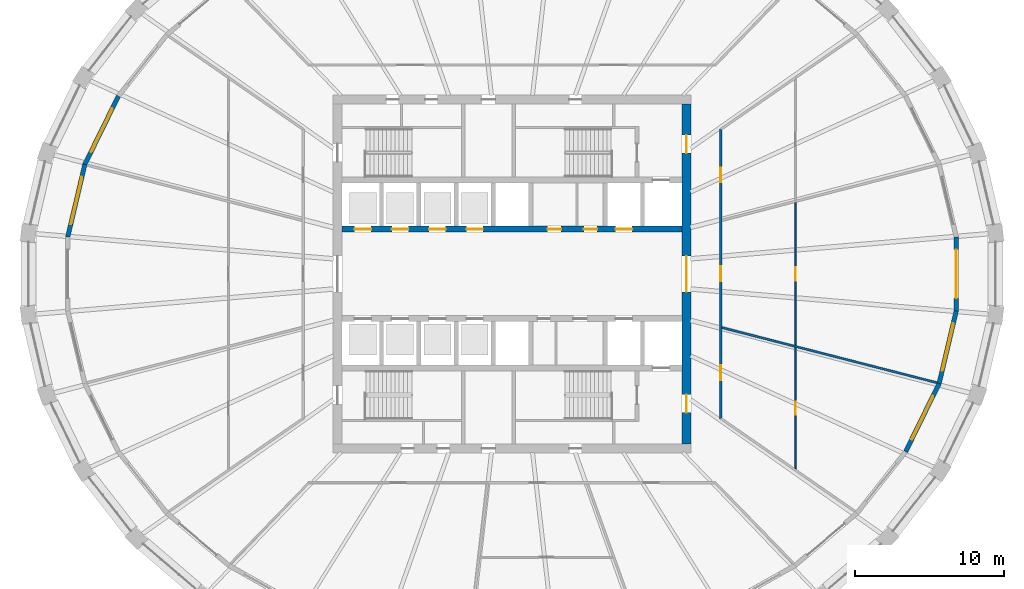
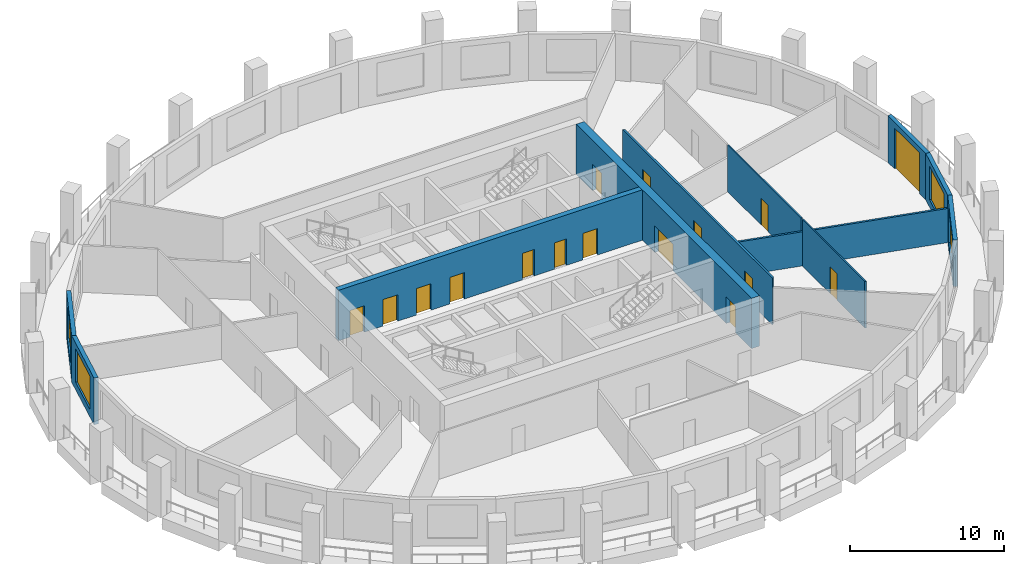
# One storey, part 5 of 10: 16 doors, 11 walls, 4 windows, 20 openings.
"""IFC4 building model written with IfcOpenShell, lengths in metres."""

from ifc_helpers import new_model, si_unit, direction, frame, frame_2d, origin, place, context, subcontext, project, spatial, polyline, rectangle, outline, extrude, material, layer, layer_set, type_object, element, fill, save


model = new_model("IFC4")

# Units and contexts
model_context = context("Model", 3, precision=1e-05, world=origin(), true_north=direction((0.0, 1.0)))
body_context = subcontext(model_context, "Body", "Model", "MODEL_VIEW")
ifc_project = project(units=[si_unit("LENGTHUNIT", "METRE"), si_unit("AREAUNIT", "SQUARE_METRE"), si_unit("VOLUMEUNIT", "CUBIC_METRE"), si_unit("PLANEANGLEUNIT", "RADIAN"), si_unit("MASSUNIT", "GRAM", prefix="KILO")], contexts=[model_context])

# Site, building, storey
site_placement = place(None, origin())
site = spatial("IfcSite", under=ifc_project, at=site_placement, CompositionType="ELEMENT")
building_placement = place(site_placement, origin())
building = spatial("IfcBuilding", under=site, at=building_placement, Name="Halqa Exchange Tower", CompositionType="ELEMENT")
storey_placement = place(building_placement, frame((0.0, 0.0, 190.89990234375)))
storey = spatial("IfcBuildingStorey", under=building, at=storey_placement, Name="L43", CompositionType="ELEMENT", Elevation=190.89990234375)

# Wall, openings, doors
ifc_material_1 = material(Name="Fire-rated gypsum board")
ifc_layer_1 = layer(ifc_material_1, 0.14990234375)
ifc_layer_set_1 = layer_set([ifc_layer_1], Name="Fire-rated gypsum board")
wall_type_1 = type_object("IfcWallType", Name="Fire partition EI 60 150", PredefinedType="PARTITIONING", material=ifc_layer_set_1)
wall_1_placement = place(storey_placement, frame((14.0, -9.729248046875, 0.0), z_axis=(0.0, 0.0, 1.0), x_axis=(0.0, 1.0, 0.0)))
wall_1 = element("IfcWall", 1, at=wall_1_placement, inside=storey, type_object=wall_type_1, Name="L43-PWL-020", PredefinedType="PARTITIONING", context=body_context, shape_type="SweptSolid", body=[
    extrude(outline(polyline([(0.07861328125, -0.074951171875), (2.008544921875, -0.074951171875), (3.938720703125, -0.074951171875), (5.868896484375, -0.074951171875), (7.799072265625, -0.074951171875), (9.729248046875, -0.074951171875), (11.659423828125, -0.074951171875), (13.589599609375, -0.074951171875), (15.519775390625, -0.074951171875), (17.44970703125, -0.074951171875), (19.3798828125, -0.074951171875), (19.45849609375, 0.074951171875), (19.45849609375, 0.074951171875), (17.5126953125, 0.074951171875), (15.56689453125, 0.074951171875), (13.620849609375, 0.074951171875), (11.675048828125, 0.074951171875), (9.729248046875, 0.074951171875), (7.783447265625, 0.074951171875), (5.837646484375, 0.074951171875), (3.8916015625, 0.074951171875), (1.94580078125, 0.074951171875), (0.0, 0.074951171875), (0.0, 0.074951171875), (0.07861328125, -0.074951171875)])), origin(), (0.0, 0.0, 1.0), 3.7001953125),
])
opening_1_placement = place(wall_1_placement, frame((2.59423828125, 0.0, 0.0)))
opening_1 = element("IfcOpeningElement", 2, at=opening_1_placement, cuts=wall_1, Name="Opening 13-09", PredefinedType="OPENING", context=body_context, shape_type="SweptSolid", body=[
    extrude(rectangle(XDim=1.0, YDim=2.10009765625, at=frame_2d((0.5, 1.050048828125))), frame((0.0, 0.0869140625, 0.0), z_axis=(0.0, -1.0, 0.0), x_axis=(1.0, 0.0, 0.0)), (0.0, 0.0, 1.0), 0.173828125),
])
opening_2_placement = place(wall_1_placement, frame((9.229248046875, 0.0, 0.0)))
opening_2 = element("IfcOpeningElement", 3, at=opening_2_placement, cuts=wall_1, Name="Opening 13-10", PredefinedType="OPENING", context=body_context, shape_type="SweptSolid", body=[
    extrude(rectangle(XDim=1.0, YDim=2.10009765625, at=frame_2d((0.5, 1.050048828125))), frame((0.0, 0.0869140625, 0.0), z_axis=(0.0, -1.0, 0.0), x_axis=(1.0, 0.0, 0.0)), (0.0, 0.0, 1.0), 0.173828125),
])
opening_3_placement = place(wall_1_placement, frame((15.8642578125, 0.0, 0.0)))
opening_3 = element("IfcOpeningElement", 4, at=opening_3_placement, cuts=wall_1, Name="Opening 13-11", PredefinedType="OPENING", context=body_context, shape_type="SweptSolid", body=[
    extrude(rectangle(XDim=1.0, YDim=2.10009765625, at=frame_2d((0.5, 1.050048828125))), frame((0.0, 0.0869140625, 0.0), z_axis=(0.0, -1.0, 0.0), x_axis=(1.0, 0.0, 0.0)), (0.0, 0.0, 1.0), 0.173828125),
])
ifc_material_2 = material(Name="Steel fire door leaf", Category="steel")
door_type_1 = type_object("IfcDoorType", Name="Fire door FD30S 1000 x 2100", OperationType="SINGLE_SWING_LEFT", PredefinedType="DOOR", material=ifc_material_2)
door_1_placement = place(opening_1_placement, frame((1.0, 0.0, 0.0), z_axis=(0.0, 0.0, 1.0), x_axis=(-1.0, 0.0, 0.0)))
door_1 = element("IfcDoor", 5, at=door_1_placement, inside=storey, type_object=door_type_1, Name="L43-IDR-009", OperationType="SINGLE_SWING_LEFT", OverallHeight=2.10009765625, OverallWidth=1.0, PredefinedType="DOOR", context=body_context, shape_type="SweptSolid", body=[
    extrude(rectangle(XDim=1.0, YDim=2.10009765625, at=frame_2d((0.5, 1.050048828125))), frame((0.0, 0.02490234375, 0.0), z_axis=(0.0, -1.0, 0.0), x_axis=(1.0, 0.0, 0.0)), (0.0, 0.0, 1.0), 0.050048828125),
])
fill(opening_1, door_1)
door_2_placement = place(opening_2_placement, frame((1.0, 0.0, 0.0), z_axis=(0.0, 0.0, 1.0), x_axis=(-1.0, 0.0, 0.0)))
door_2 = element("IfcDoor", 6, at=door_2_placement, inside=storey, type_object=door_type_1, Name="L43-IDR-010", OperationType="SINGLE_SWING_RIGHT", OverallHeight=2.10009765625, OverallWidth=1.0, PredefinedType="DOOR", context=body_context, shape_type="SweptSolid", body=[
    extrude(rectangle(XDim=1.0, YDim=2.10009765625, at=frame_2d((0.5, 1.050048828125))), frame((0.0, 0.02490234375, 0.0), z_axis=(0.0, -1.0, 0.0), x_axis=(1.0, 0.0, 0.0)), (0.0, 0.0, 1.0), 0.050048828125),
])
fill(opening_2, door_2)
door_3_placement = place(opening_3_placement, frame((1.0, 0.0, 0.0), z_axis=(0.0, 0.0, 1.0), x_axis=(-1.0, 0.0, 0.0)))
door_3 = element("IfcDoor", 7, at=door_3_placement, inside=storey, type_object=door_type_1, Name="L43-IDR-011", OperationType="SINGLE_SWING_RIGHT", OverallHeight=2.10009765625, OverallWidth=1.0, PredefinedType="DOOR", context=body_context, shape_type="SweptSolid", body=[
    extrude(rectangle(XDim=1.0, YDim=2.10009765625, at=frame_2d((0.5, 1.050048828125))), frame((0.0, 0.02490234375, 0.0), z_axis=(0.0, -1.0, 0.0), x_axis=(1.0, 0.0, 0.0)), (0.0, 0.0, 1.0), 0.050048828125),
])
fill(opening_3, door_3)

# Wall
wall_2_placement = place(storey_placement, frame((14.056640625, -3.594482421875, 0.0), z_axis=(0.0, 0.0, 1.0), x_axis=(0.96870063855, -0.248231893342, 0.0)))
element("IfcWall", 8, at=wall_2_placement, inside=storey, type_object=wall_type_1, Name="L43-PWL-022", PredefinedType="PARTITIONING", context=body_context, shape_type="SweptSolid", body=[
    extrude(outline(polyline([(0.0380859375, -0.074951171875), (1.748291015625, -0.074951171875), (3.458251953125, -0.074951171875), (5.168212890625, -0.074951171875), (5.173583984375, -0.073486328125), (5.173828125, -0.074951171875), (7.1171875, -0.074951171875), (9.060546875, -0.074951171875), (11.003662109375, -0.074951171875), (12.947021484375, -0.074951171875), (14.89013671875, -0.074951171875), (14.904296875, -0.007568359375), (14.904296875, 0.074951171875), (12.93115234375, 0.074951171875), (10.957763671875, 0.074951171875), (8.984619140625, 0.074951171875), (7.011474609375, 0.074951171875), (5.0380859375, 0.074951171875), (5.03271484375, 0.073486328125), (5.0322265625, 0.074951171875), (3.354736328125, 0.074951171875), (1.677490234375, 0.074951171875), (0.0, 0.074951171875), (0.0, 0.073974609375), (0.0380859375, -0.074951171875)])), origin(), (0.0, 0.0, 1.0), 2.710205078125),
])

# Wall, opening, door
ifc_material_3 = material(Name="Gypsum board")
ifc_layer_2 = layer(ifc_material_3, 0.10009765625)
ifc_layer_set_2 = layer_set([ifc_layer_2], Name="Gypsum board")
wall_type_2 = type_object("IfcWallType", Name="Partition 100 gypsum", PredefinedType="PARTITIONING", material=ifc_layer_set_2)
wall_3_placement = place(storey_placement, frame((19.0, -4.926025390625, 0.0), z_axis=(0.0, 0.0, 1.0), x_axis=(0.0, -1.0, 0.0)))
wall_3 = element("IfcWall", 9, at=wall_3_placement, inside=storey, type_object=wall_type_2, Name="L43-PWL-027", PredefinedType="PARTITIONING", context=body_context, shape_type="SweptSolid", body=[
    extrude(outline(polyline([(0.0, -0.050048828125), (1.6201171875, -0.050048828125), (3.240234375, -0.050048828125), (4.8603515625, -0.050048828125), (6.480712890625, -0.050048828125), (8.100830078125, -0.050048828125), (8.16943359375, 0.049072265625), (8.16943359375, 0.050048828125), (6.54052734375, 0.050048828125), (4.911865234375, 0.050048828125), (3.282958984375, 0.050048828125), (1.654296875, 0.050048828125), (0.025390625, 0.050048828125), (0.0, -0.04931640625), (0.0, -0.050048828125)])), origin(), (0.0, 0.0, 1.0), 3.7001953125),
])
opening_4_placement = place(wall_3_placement, frame((3.62890625, 0.0, 0.0)))
opening_4 = element("IfcOpeningElement", 10, at=opening_4_placement, cuts=wall_3, Name="Opening 13-16", PredefinedType="OPENING", context=body_context, shape_type="SweptSolid", body=[
    extrude(rectangle(XDim=0.89990234375, YDim=2.10009765625, at=frame_2d((0.449951171875, 1.050048828125))), frame((0.0, 0.06201171875, 0.0), z_axis=(0.0, -1.0, 0.0), x_axis=(1.0, 0.0, 0.0)), (0.0, 0.0, 1.0), 0.1240234375),
])
ifc_material_4 = material(Name="Timber door leaf", Category="wood")
door_type_2 = type_object("IfcDoorType", Name="Door 900 x 2100", OperationType="SINGLE_SWING_LEFT", PredefinedType="DOOR", material=ifc_material_4)
door_4_placement = place(opening_4_placement, frame((0.89990234375, 0.0, 0.0), z_axis=(0.0, 0.0, 1.0), x_axis=(-1.0, 0.0, 0.0)))
door_4 = element("IfcDoor", 11, at=door_4_placement, inside=storey, type_object=door_type_2, Name="L43-IDR-016", OperationType="SINGLE_SWING_LEFT", OverallHeight=2.10009765625, OverallWidth=0.89990234375, PredefinedType="DOOR", context=body_context, shape_type="SweptSolid", body=[
    extrude(rectangle(XDim=0.89990234375, YDim=2.10009765625, at=frame_2d((0.449951171875, 1.050048828125))), frame((0.0, 0.02490234375, 0.0), z_axis=(0.0, -1.0, 0.0), x_axis=(1.0, 0.0, 0.0)), (0.0, 0.0, 1.0), 0.050048828125),
])
fill(opening_4, door_4)

wall_4_placement = place(storey_placement, frame((19.0, 4.79638671875, 0.0), z_axis=(0.0, 0.0, 1.0), x_axis=(0.0, -1.0, 0.0)))
wall_4 = element("IfcWall", 12, at=wall_4_placement, inside=storey, type_object=wall_type_2, Name="L43-PWL-028", PredefinedType="PARTITIONING", context=body_context, shape_type="SweptSolid", body=[
    extrude(outline(polyline([(0.025390625, -0.050048828125), (1.933837890625, -0.050048828125), (3.84228515625, -0.050048828125), (5.75048828125, -0.050048828125), (7.658935546875, -0.050048828125), (9.5673828125, -0.050048828125), (9.5927734375, 0.049072265625), (9.5927734375, 0.050048828125), (7.67431640625, 0.050048828125), (5.755615234375, 0.050048828125), (3.837158203125, 0.050048828125), (1.91845703125, 0.050048828125), (0.0, 0.050048828125), (0.0, 0.049072265625), (0.025390625, -0.050048828125)])), origin(), (0.0, 0.0, 1.0), 3.7001953125),
])
opening_5_placement = place(wall_4_placement, frame((4.346435546875, 0.0, 0.0)))
opening_5 = element("IfcOpeningElement", 13, at=opening_5_placement, cuts=wall_4, Name="Opening 13-17", PredefinedType="OPENING", context=body_context, shape_type="SweptSolid", body=[
    extrude(rectangle(XDim=0.89990234375, YDim=2.10009765625, at=frame_2d((0.449951171875, 1.050048828125))), frame((0.0, 0.06201171875, 0.0), z_axis=(0.0, -1.0, 0.0), x_axis=(1.0, 0.0, 0.0)), (0.0, 0.0, 1.0), 0.1240234375),
])
door_5_placement = place(opening_5_placement, frame((0.89990234375, 0.0, 0.0), z_axis=(0.0, 0.0, 1.0), x_axis=(-1.0, 0.0, 0.0)))
door_5 = element("IfcDoor", 14, at=door_5_placement, inside=storey, type_object=door_type_2, Name="L43-IDR-017", OperationType="SINGLE_SWING_LEFT", OverallHeight=2.10009765625, OverallWidth=0.89990234375, PredefinedType="DOOR", context=body_context, shape_type="SweptSolid", body=[
    extrude(rectangle(XDim=0.89990234375, YDim=2.10009765625, at=frame_2d((0.449951171875, 1.050048828125))), frame((0.0, 0.02490234375, 0.0), z_axis=(0.0, -1.0, 0.0), x_axis=(1.0, 0.0, 0.0)), (0.0, 0.0, 1.0), 0.050048828125),
])
fill(opening_5, door_5)

# Wall, openings, doors
ifc_material_5 = material(Name="Concrete C70/85", Category="concrete")
ifc_layer_3 = layer(ifc_material_5, 0.39990234375)
ifc_layer_set_3 = layer_set([ifc_layer_3], Name="Concrete C70/85")
wall_type_3 = type_object("IfcWallType", Name="RC core wall 400 C70/85", PredefinedType="SHEAR", material=ifc_layer_set_3)
wall_5_placement = place(storey_placement, frame((-11.39990234375, 3.0, 0.0), z_axis=(0.0, 0.0, 1.0), x_axis=(1.0, 0.0, 0.0)))
wall_5 = element("IfcWall", 15, at=wall_5_placement, inside=storey, type_object=wall_type_3, Name="Lift row front wall N", PredefinedType="SHEAR", context=body_context, shape_type="SweptSolid", body=[
    extrude(rectangle(XDim=22.7998046875, YDim=0.39990234375, at=frame_2d((11.39990234375, 0.0))), origin(), (0.0, 0.0, 1.0), 4.0),
])
opening_6_placement = place(wall_5_placement, frame((0.85009765625, 0.0, 0.0)))
opening_6 = element("IfcOpeningElement", 16, at=opening_6_placement, cuts=wall_5, Name="Opening LD-HR1-T13", PredefinedType="OPENING", context=body_context, shape_type="SweptSolid", body=[
    extrude(rectangle(XDim=1.10009765625, YDim=2.10009765625, at=frame_2d((0.550048828125, 1.050048828125))), frame((0.0, 0.2119140625, 0.0), z_axis=(0.0, -1.0, 0.0), x_axis=(1.0, 0.0, 0.0)), (0.0, 0.0, 1.0), 0.423828125),
])
opening_7_placement = place(wall_5_placement, frame((3.35009765625, 0.0, 0.0)))
opening_7 = element("IfcOpeningElement", 17, at=opening_7_placement, cuts=wall_5, Name="Opening LD-HR2-T13", PredefinedType="OPENING", context=body_context, shape_type="SweptSolid", body=[
    extrude(rectangle(XDim=1.10009765625, YDim=2.10009765625, at=frame_2d((0.550048828125, 1.050048828125))), frame((0.0, 0.2119140625, 0.0), z_axis=(0.0, -1.0, 0.0), x_axis=(1.0, 0.0, 0.0)), (0.0, 0.0, 1.0), 0.423828125),
])
opening_8_placement = place(wall_5_placement, frame((5.85009765625, 0.0, 0.0)))
opening_8 = element("IfcOpeningElement", 18, at=opening_8_placement, cuts=wall_5, Name="Opening LD-MR1-T13", PredefinedType="OPENING", context=body_context, shape_type="SweptSolid", body=[
    extrude(rectangle(XDim=1.10009765625, YDim=2.10009765625, at=frame_2d((0.550048828125, 1.050048828125))), frame((0.0, 0.2119140625, 0.0), z_axis=(0.0, -1.0, 0.0), x_axis=(1.0, 0.0, 0.0)), (0.0, 0.0, 1.0), 0.423828125),
])
opening_9_placement = place(wall_5_placement, frame((8.35009765625, 0.0, 0.0)))
opening_9 = element("IfcOpeningElement", 19, at=opening_9_placement, cuts=wall_5, Name="Opening LD-MR2-T13", PredefinedType="OPENING", context=body_context, shape_type="SweptSolid", body=[
    extrude(rectangle(XDim=1.10009765625, YDim=2.10009765625, at=frame_2d((0.550048828125, 1.050048828125))), frame((0.0, 0.2119140625, 0.0), z_axis=(0.0, -1.0, 0.0), x_axis=(1.0, 0.0, 0.0)), (0.0, 0.0, 1.0), 0.423828125),
])
opening_10_placement = place(wall_5_placement, frame((18.35009765625, 0.0, 0.0)))
opening_10 = element("IfcOpeningElement", 20, at=opening_10_placement, cuts=wall_5, Name="Opening LD-SV1-T13", PredefinedType="OPENING", context=body_context, shape_type="SweptSolid", body=[
    extrude(rectangle(XDim=1.10009765625, YDim=2.10009765625, at=frame_2d((0.550048828125, 1.050048828125))), frame((0.0, 0.2119140625, 0.0), z_axis=(0.0, -1.0, 0.0), x_axis=(1.0, 0.0, 0.0)), (0.0, 0.0, 1.0), 0.423828125),
])
opening_11_placement = place(wall_5_placement, frame((13.78759765625, 0.0, 0.0)))
opening_11 = element("IfcOpeningElement", 21, at=opening_11_placement, cuts=wall_5, Name="Opening T13-C29", PredefinedType="OPENING", context=body_context, shape_type="SweptSolid", body=[
    extrude(rectangle(XDim=0.89990234375, YDim=2.10009765625, at=frame_2d((0.449951171875, 1.050048828125))), frame((0.0, 0.2119140625, 0.0), z_axis=(0.0, -1.0, 0.0), x_axis=(1.0, 0.0, 0.0)), (0.0, 0.0, 1.0), 0.423828125),
])
opening_12_placement = place(wall_5_placement, frame((16.21240234375, 0.0, 0.0)))
opening_12 = element("IfcOpeningElement", 22, at=opening_12_placement, cuts=wall_5, Name="Opening T13-C30", PredefinedType="OPENING", context=body_context, shape_type="SweptSolid", body=[
    extrude(rectangle(XDim=0.89990234375, YDim=2.10009765625, at=frame_2d((0.449951171875, 1.050048828125))), frame((0.0, 0.2119140625, 0.0), z_axis=(0.0, -1.0, 0.0), x_axis=(1.0, 0.0, 0.0)), (0.0, 0.0, 1.0), 0.423828125),
])
ifc_material_6 = material(Name="Timber fire door leaf", Category="wood")
door_type_3 = type_object("IfcDoorType", Name="Core room door FD30 900 x 2100", OperationType="SINGLE_SWING_LEFT", PredefinedType="DOOR", material=ifc_material_6)
door_6_placement = place(opening_11_placement, origin())
door_6 = element("IfcDoor", 23, at=door_6_placement, inside=storey, type_object=door_type_3, Name="Core room door", OperationType="SINGLE_SWING_LEFT", OverallHeight=2.10009765625, OverallWidth=0.89990234375, PredefinedType="DOOR", context=body_context, shape_type="SweptSolid", body=[
    extrude(rectangle(XDim=0.89990234375, YDim=2.10009765625, at=frame_2d((0.449951171875, 1.050048828125))), frame((0.0, 0.02490234375, 0.0), z_axis=(0.0, -1.0, 0.0), x_axis=(1.0, 0.0, 0.0)), (0.0, 0.0, 1.0), 0.050048828125),
])
fill(opening_11, door_6)
door_7_placement = place(opening_12_placement, origin())
door_7 = element("IfcDoor", 24, at=door_7_placement, inside=storey, type_object=door_type_3, Name="Core room door", OperationType="SINGLE_SWING_RIGHT", OverallHeight=2.10009765625, OverallWidth=0.89990234375, PredefinedType="DOOR", context=body_context, shape_type="SweptSolid", body=[
    extrude(rectangle(XDim=0.89990234375, YDim=2.10009765625, at=frame_2d((0.449951171875, 1.050048828125))), frame((0.0, 0.02490234375, 0.0), z_axis=(0.0, -1.0, 0.0), x_axis=(1.0, 0.0, 0.0)), (0.0, 0.0, 1.0), 0.050048828125),
])
fill(opening_12, door_7)
ifc_material_7 = material(Name="Stainless steel", Category="steel")
door_type_4 = type_object("IfcDoorType", Name="Lift landing door 1100 x 2100", OperationType="SLIDING_TO_LEFT", PredefinedType="DOOR", material=ifc_material_7)
door_8_placement = place(opening_6_placement, origin())
door_8 = element("IfcDoor", 25, at=door_8_placement, inside=storey, type_object=door_type_4, Name="Lift landing door HR1", OperationType="SLIDING_TO_LEFT", OverallHeight=2.10009765625, OverallWidth=1.10009765625, PredefinedType="DOOR", context=body_context, shape_type="SweptSolid", body=[
    extrude(rectangle(XDim=1.10009765625, YDim=2.10009765625, at=frame_2d((0.550048828125, 1.050048828125))), frame((0.0, 0.02490234375, 0.0), z_axis=(0.0, -1.0, 0.0), x_axis=(1.0, 0.0, 0.0)), (0.0, 0.0, 1.0), 0.050048828125),
])
fill(opening_6, door_8)
door_9_placement = place(opening_7_placement, origin())
door_9 = element("IfcDoor", 26, at=door_9_placement, inside=storey, type_object=door_type_4, Name="Lift landing door HR2", OperationType="SLIDING_TO_LEFT", OverallHeight=2.10009765625, OverallWidth=1.10009765625, PredefinedType="DOOR", context=body_context, shape_type="SweptSolid", body=[
    extrude(rectangle(XDim=1.10009765625, YDim=2.10009765625, at=frame_2d((0.550048828125, 1.050048828125))), frame((0.0, 0.02490234375, 0.0), z_axis=(0.0, -1.0, 0.0), x_axis=(1.0, 0.0, 0.0)), (0.0, 0.0, 1.0), 0.050048828125),
])
fill(opening_7, door_9)
door_10_placement = place(opening_8_placement, origin())
door_10 = element("IfcDoor", 27, at=door_10_placement, inside=storey, type_object=door_type_4, Name="Lift landing door MR1", OperationType="SLIDING_TO_LEFT", OverallHeight=2.10009765625, OverallWidth=1.10009765625, PredefinedType="DOOR", context=body_context, shape_type="SweptSolid", body=[
    extrude(rectangle(XDim=1.10009765625, YDim=2.10009765625, at=frame_2d((0.550048828125, 1.050048828125))), frame((0.0, 0.02490234375, 0.0), z_axis=(0.0, -1.0, 0.0), x_axis=(1.0, 0.0, 0.0)), (0.0, 0.0, 1.0), 0.050048828125),
])
fill(opening_8, door_10)
door_11_placement = place(opening_9_placement, origin())
door_11 = element("IfcDoor", 28, at=door_11_placement, inside=storey, type_object=door_type_4, Name="Lift landing door MR2", OperationType="SLIDING_TO_LEFT", OverallHeight=2.10009765625, OverallWidth=1.10009765625, PredefinedType="DOOR", context=body_context, shape_type="SweptSolid", body=[
    extrude(rectangle(XDim=1.10009765625, YDim=2.10009765625, at=frame_2d((0.550048828125, 1.050048828125))), frame((0.0, 0.02490234375, 0.0), z_axis=(0.0, -1.0, 0.0), x_axis=(1.0, 0.0, 0.0)), (0.0, 0.0, 1.0), 0.050048828125),
])
fill(opening_9, door_11)
door_12_placement = place(opening_10_placement, origin())
door_12 = element("IfcDoor", 29, at=door_12_placement, inside=storey, type_object=door_type_4, Name="Lift landing door SV1", OperationType="SLIDING_TO_LEFT", OverallHeight=2.10009765625, OverallWidth=1.10009765625, PredefinedType="DOOR", context=body_context, shape_type="SweptSolid", body=[
    extrude(rectangle(XDim=1.10009765625, YDim=2.10009765625, at=frame_2d((0.550048828125, 1.050048828125))), frame((0.0, 0.02490234375, 0.0), z_axis=(0.0, -1.0, 0.0), x_axis=(1.0, 0.0, 0.0)), (0.0, 0.0, 1.0), 0.050048828125),
])
fill(opening_10, door_12)

ifc_layer_4 = layer(ifc_material_5, 0.60009765625)
ifc_layer_set_4 = layer_set([ifc_layer_4], Name="Concrete C70/85")
wall_type_4 = type_object("IfcWallType", Name="RC core wall 600 C70/85", PredefinedType="SHEAR", material=ifc_layer_set_4)
wall_6_placement = place(storey_placement, frame((11.699951171875, -11.39990234375, 0.0), z_axis=(0.0, 0.0, 1.0), x_axis=(0.0, 1.0, 0.0)))
wall_6 = element("IfcWall", 30, at=wall_6_placement, inside=storey, type_object=wall_type_4, Name="Core wall east", PredefinedType="SHEAR", context=body_context, shape_type="SweptSolid", body=[
    extrude(rectangle(XDim=22.7998046875, YDim=0.60009765625, at=frame_2d((11.39990234375, 0.0))), origin(), (0.0, 0.0, 1.0), 4.0),
])
opening_13_placement = place(wall_6_placement, frame((10.199951171875, 0.0, 0.0)))
opening_13 = element("IfcOpeningElement", 31, at=opening_13_placement, cuts=wall_6, Name="Opening T13-C14", PredefinedType="OPENING", context=body_context, shape_type="SweptSolid", body=[
    extrude(rectangle(XDim=2.39990234375, YDim=2.10009765625, at=frame_2d((1.199951171875, 1.050048828125))), frame((0.0, 0.31201171875, 0.0), z_axis=(0.0, -1.0, 0.0), x_axis=(1.0, 0.0, 0.0)), (0.0, 0.0, 1.0), 0.6240234375),
])
opening_14_placement = place(wall_6_placement, frame((19.5, 0.0, 0.0)))
opening_14 = element("IfcOpeningElement", 32, at=opening_14_placement, cuts=wall_6, Name="Opening T13-C19", PredefinedType="OPENING", context=body_context, shape_type="SweptSolid", body=[
    extrude(rectangle(XDim=1.199951171875, YDim=2.10009765625, at=frame_2d((0.60009765625, 1.050048828125))), frame((0.0, 0.31201171875, 0.0), z_axis=(0.0, -1.0, 0.0), x_axis=(1.0, 0.0, 0.0)), (0.0, 0.0, 1.0), 0.6240234375),
])
opening_15_placement = place(wall_6_placement, frame((2.10009765625, 0.0, 0.0)))
opening_15 = element("IfcOpeningElement", 33, at=opening_15_placement, cuts=wall_6, Name="Opening T13-C20", PredefinedType="OPENING", context=body_context, shape_type="SweptSolid", body=[
    extrude(rectangle(XDim=1.199951171875, YDim=2.10009765625, at=frame_2d((0.60009765625, 1.050048828125))), frame((0.0, 0.31201171875, 0.0), z_axis=(0.0, -1.0, 0.0), x_axis=(1.0, 0.0, 0.0)), (0.0, 0.0, 1.0), 0.6240234375),
])
door_type_5 = type_object("IfcDoorType", Name="Firefighting lobby door FD90 1200 x 2100", OperationType="SINGLE_SWING_RIGHT", PredefinedType="DOOR", material=ifc_material_2)
door_13_placement = place(opening_14_placement, origin())
door_13 = element("IfcDoor", 34, at=door_13_placement, inside=storey, type_object=door_type_5, Name="Firefighting lobby door", OperationType="SINGLE_SWING_RIGHT", OverallHeight=2.10009765625, OverallWidth=1.199951171875, PredefinedType="DOOR", context=body_context, shape_type="SweptSolid", body=[
    extrude(rectangle(XDim=1.199951171875, YDim=2.10009765625, at=frame_2d((0.60009765625, 1.050048828125))), frame((0.0, 0.02490234375, 0.0), z_axis=(0.0, -1.0, 0.0), x_axis=(1.0, 0.0, 0.0)), (0.0, 0.0, 1.0), 0.050048828125),
])
fill(opening_14, door_13)
door_14_placement = place(opening_15_placement, origin())
door_14 = element("IfcDoor", 35, at=door_14_placement, inside=storey, type_object=door_type_5, Name="Firefighting lobby door", OperationType="SINGLE_SWING_LEFT", OverallHeight=2.10009765625, OverallWidth=1.199951171875, PredefinedType="DOOR", context=body_context, shape_type="SweptSolid", body=[
    extrude(rectangle(XDim=1.199951171875, YDim=2.10009765625, at=frame_2d((0.60009765625, 1.050048828125))), frame((0.0, 0.02490234375, 0.0), z_axis=(0.0, -1.0, 0.0), x_axis=(1.0, 0.0, 0.0)), (0.0, 0.0, 1.0), 0.050048828125),
])
fill(opening_15, door_14)
door_type_6 = type_object("IfcDoorType", Name="Lobby double door FD60 2400 x 2100", OperationType="DOUBLE_DOOR_SINGLE_SWING", PredefinedType="DOOR", material=ifc_material_2)
door_15_placement = place(opening_13_placement, origin())
door_15 = element("IfcDoor", 36, at=door_15_placement, inside=storey, type_object=door_type_6, Name="Lift lobby double door", OperationType="DOUBLE_DOOR_SINGLE_SWING", OverallHeight=2.10009765625, OverallWidth=2.39990234375, PredefinedType="DOOR", context=body_context, shape_type="SweptSolid", body=[
    extrude(rectangle(XDim=2.39990234375, YDim=2.10009765625, at=frame_2d((1.199951171875, 1.050048828125))), frame((0.0, 0.02490234375, 0.0), z_axis=(0.0, -1.0, 0.0), x_axis=(1.0, 0.0, 0.0)), (0.0, 0.0, 1.0), 0.050048828125),
])
fill(opening_13, door_15)

# Wall, opening, window
ifc_material_8 = material(Name="Limestone cladding", Category="masonry")
ifc_layer_5 = layer(ifc_material_8, 0.0400390625)
ifc_material_9 = material(Name="Ventilated cavity")
ifc_layer_6 = layer(ifc_material_9, 0.030029296875, ventilated=True)
ifc_material_10 = material(Name="Mineral wool insulation")
ifc_layer_7 = layer(ifc_material_10, 0.10009765625)
ifc_material_11 = material(Name="Concrete C30/37", Category="concrete")
ifc_layer_8 = layer(ifc_material_11, 0.10009765625)
ifc_material_12 = material(Name="Internal plaster")
ifc_layer_9 = layer(ifc_material_12, 0.030029296875)
ifc_layer_set_5 = layer_set([ifc_layer_5, ifc_layer_6, ifc_layer_7, ifc_layer_8, ifc_layer_9], Name="Stone-faced insulated wall 300")
wall_type_5 = type_object("IfcWallType", Name="Stone-faced insulated wall 300", PredefinedType="STANDARD", material=ifc_layer_set_5)
wall_7_placement = place(storey_placement, frame((-26.39013671875, 11.92431640625, 0.0), z_axis=(0.0, 0.0, 1.0), x_axis=(-0.440694221881, -0.897657285829, 0.0)))
wall_7 = element("IfcWall", 37, at=wall_7_placement, inside=storey, type_object=wall_type_5, Name="Glass-line wall 14", PredefinedType="STANDARD", context=body_context, shape_type="SweptSolid", body=[
    extrude(outline(polyline([(-0.01611328125, -0.14990234375), (5.119140625, -0.14990234375), (5.08544921875, 0.14990234375), (0.01611328125, 0.14990234375), (-0.01611328125, -0.14990234375)])), origin(), (0.0, 0.0, 1.0), 3.7001953125),
])
opening_16_placement = place(wall_7_placement, frame((0.926025390625, 0.0, 0.60009765625)))
opening_16 = element("IfcOpeningElement", 38, at=opening_16_placement, cuts=wall_7, Name="Opening W-F3-14", PredefinedType="OPENING", context=body_context, shape_type="SweptSolid", body=[
    extrude(rectangle(XDim=3.25, YDim=2.64990234375, at=frame_2d((1.625, 1.324951171875))), frame((0.0, 0.162109375, 0.0), z_axis=(0.0, -1.0, 0.0), x_axis=(1.0, 0.0, 0.0)), (0.0, 0.0, 1.0), 0.323974609375),
])
ifc_material_13 = material(Name="Clear low-emissivity glass in aluminium frame", Category="aluminium")
window_type = type_object("IfcWindowType", Name="Fixed clear glazed window 3250 x 2650", PartitioningType="TRIPLE_PANEL_VERTICAL", PredefinedType="WINDOW", material=ifc_material_13)
window_1_placement = place(opening_16_placement, origin())
window_1 = element("IfcWindow", 39, at=window_1_placement, inside=storey, type_object=window_type, Name="Window 3", OverallHeight=2.64990234375, OverallWidth=3.25, PartitioningType="TRIPLE_PANEL_VERTICAL", PredefinedType="WINDOW", context=body_context, shape_type="SweptSolid", body=[
    extrude(rectangle(XDim=3.25, YDim=2.64990234375, at=frame_2d((1.625, 1.324951171875))), frame((0.0, 0.030029296875, 0.0), z_axis=(0.0, -1.0, 0.0), x_axis=(1.0, 0.0, 0.0)), (0.0, 0.0, 1.0), 0.06005859375),
])
fill(opening_16, window_1)

wall_8_placement = place(storey_placement, frame((-28.638671875, 7.34423828125, 0.0), z_axis=(0.0, 0.0, 1.0), x_axis=(-0.229455912692, -0.97331905567, 0.0)))
wall_8 = element("IfcWall", 40, at=wall_8_placement, inside=storey, type_object=wall_type_5, Name="Glass-line wall 15", PredefinedType="STANDARD", context=body_context, shape_type="SweptSolid", body=[
    extrude(outline(polyline([(-0.016845703125, -0.14990234375), (5.014892578125, -0.14990234375), (4.980224609375, 0.14990234375), (0.016845703125, 0.14990234375), (-0.016845703125, -0.14990234375)])), origin(), (0.0, 0.0, 1.0), 3.7001953125),
])
opening_17_placement = place(wall_8_placement, frame((0.873779296875, 0.0, 0.60009765625)))
opening_17 = element("IfcOpeningElement", 41, at=opening_17_placement, cuts=wall_8, Name="Opening W-F3-15", PredefinedType="OPENING", context=body_context, shape_type="SweptSolid", body=[
    extrude(rectangle(XDim=3.25, YDim=2.64990234375, at=frame_2d((1.625, 1.324951171875))), frame((0.0, 0.162109375, 0.0), z_axis=(0.0, -1.0, 0.0), x_axis=(1.0, 0.0, 0.0)), (0.0, 0.0, 1.0), 0.323974609375),
])
window_2_placement = place(opening_17_placement, origin())
window_2 = element("IfcWindow", 42, at=window_2_placement, inside=storey, type_object=window_type, Name="Window 3", OverallHeight=2.64990234375, OverallWidth=3.25, PartitioningType="TRIPLE_PANEL_VERTICAL", PredefinedType="WINDOW", context=body_context, shape_type="SweptSolid", body=[
    extrude(rectangle(XDim=3.25, YDim=2.64990234375, at=frame_2d((1.625, 1.324951171875))), frame((0.0, 0.030029296875, 0.0), z_axis=(0.0, -1.0, 0.0), x_axis=(1.0, 0.0, 0.0)), (0.0, 0.0, 1.0), 0.06005859375),
])
fill(opening_17, window_2)

wall_9_placement = place(storey_placement, frame((26.39013671875, -11.92431640625, 0.0), z_axis=(0.0, 0.0, 1.0), x_axis=(0.440694221881, 0.897657285829, 0.0)))
wall_9 = element("IfcWall", 43, at=wall_9_placement, inside=storey, type_object=wall_type_5, Name="Glass-line wall 30", PredefinedType="STANDARD", context=body_context, shape_type="SweptSolid", body=[
    extrude(outline(polyline([(-0.01611328125, -0.14990234375), (5.119140625, -0.14990234375), (5.08544921875, 0.14990234375), (0.01611328125, 0.14990234375), (-0.01611328125, -0.14990234375)])), origin(), (0.0, 0.0, 1.0), 3.7001953125),
])
opening_18_placement = place(wall_9_placement, frame((0.926025390625, 0.0, 0.60009765625)))
opening_18 = element("IfcOpeningElement", 44, at=opening_18_placement, cuts=wall_9, Name="Opening W-F3-30", PredefinedType="OPENING", context=body_context, shape_type="SweptSolid", body=[
    extrude(rectangle(XDim=3.25, YDim=2.64990234375, at=frame_2d((1.625, 1.324951171875))), frame((0.0, 0.162109375, 0.0), z_axis=(0.0, -1.0, 0.0), x_axis=(1.0, 0.0, 0.0)), (0.0, 0.0, 1.0), 0.323974609375),
])
window_3_placement = place(opening_18_placement, origin())
window_3 = element("IfcWindow", 45, at=window_3_placement, inside=storey, type_object=window_type, Name="Window 3", OverallHeight=2.64990234375, OverallWidth=3.25, PartitioningType="TRIPLE_PANEL_VERTICAL", PredefinedType="WINDOW", context=body_context, shape_type="SweptSolid", body=[
    extrude(rectangle(XDim=3.25, YDim=2.64990234375, at=frame_2d((1.625, 1.324951171875))), frame((0.0, 0.030029296875, 0.0), z_axis=(0.0, -1.0, 0.0), x_axis=(1.0, 0.0, 0.0)), (0.0, 0.0, 1.0), 0.06005859375),
])
fill(opening_18, window_3)

wall_10_placement = place(storey_placement, frame((28.638671875, -7.34423828125, 0.0), z_axis=(0.0, 0.0, 1.0), x_axis=(0.229455912692, 0.97331905567, 0.0)))
wall_10 = element("IfcWall", 46, at=wall_10_placement, inside=storey, type_object=wall_type_5, Name="Glass-line wall 31", PredefinedType="STANDARD", context=body_context, shape_type="SweptSolid", body=[
    extrude(outline(polyline([(-0.016845703125, -0.14990234375), (5.014892578125, -0.14990234375), (4.980224609375, 0.14990234375), (0.016845703125, 0.14990234375), (-0.016845703125, -0.14990234375)])), origin(), (0.0, 0.0, 1.0), 3.7001953125),
])
opening_19_placement = place(wall_10_placement, frame((0.873779296875, 0.0, 0.60009765625)))
opening_19 = element("IfcOpeningElement", 47, at=opening_19_placement, cuts=wall_10, Name="Opening W-F3-31", PredefinedType="OPENING", context=body_context, shape_type="SweptSolid", body=[
    extrude(rectangle(XDim=3.25, YDim=2.64990234375, at=frame_2d((1.625, 1.324951171875))), frame((0.0, 0.162109375, 0.0), z_axis=(0.0, -1.0, 0.0), x_axis=(1.0, 0.0, 0.0)), (0.0, 0.0, 1.0), 0.323974609375),
])
window_4_placement = place(opening_19_placement, origin())
window_4 = element("IfcWindow", 48, at=window_4_placement, inside=storey, type_object=window_type, Name="Window 3", OverallHeight=2.64990234375, OverallWidth=3.25, PartitioningType="TRIPLE_PANEL_VERTICAL", PredefinedType="WINDOW", context=body_context, shape_type="SweptSolid", body=[
    extrude(rectangle(XDim=3.25, YDim=2.64990234375, at=frame_2d((1.625, 1.324951171875))), frame((0.0, 0.030029296875, 0.0), z_axis=(0.0, -1.0, 0.0), x_axis=(1.0, 0.0, 0.0)), (0.0, 0.0, 1.0), 0.06005859375),
])
fill(opening_19, window_4)

# Wall, opening, door
wall_11_placement = place(storey_placement, frame((29.785400390625, -2.47998046875, 0.0), z_axis=(0.0, 0.0, 1.0), x_axis=(0.0, 1.0, 0.0)))
wall_11 = element("IfcWall", 49, at=wall_11_placement, inside=storey, type_object=wall_type_5, Name="Glass-line wall 32", PredefinedType="STANDARD", context=body_context, shape_type="SweptSolid", body=[
    extrude(outline(polyline([(-0.017333984375, -0.14990234375), (4.977294921875, -0.14990234375), (4.942626953125, 0.14990234375), (0.017333984375, 0.14990234375), (-0.017333984375, -0.14990234375)])), origin(), (0.0, 0.0, 1.0), 3.7001953125),
])
opening_20_placement = place(wall_11_placement, frame((0.85498046875, 0.0, 0.0)))
opening_20 = element("IfcOpeningElement", 50, at=opening_20_placement, cuts=wall_11, Name="Opening LG-F3-08", PredefinedType="OPENING", context=body_context, shape_type="SweptSolid", body=[
    extrude(rectangle(XDim=3.25, YDim=3.25, at=frame_2d((1.625, 1.625))), frame((0.0, 0.162109375, 0.0), z_axis=(0.0, -1.0, 0.0), x_axis=(1.0, 0.0, 0.0)), (0.0, 0.0, 1.0), 0.323974609375),
])
door_type_7 = type_object("IfcDoorType", Name="Glazed sliding loggia door 3250 x 3250", OperationType="DOUBLE_DOOR_SLIDING", PredefinedType="DOOR", material=ifc_material_13)
door_16_placement = place(opening_20_placement, origin())
door_16 = element("IfcDoor", 51, at=door_16_placement, inside=storey, type_object=door_type_7, Name="Loggia door 8", OperationType="DOUBLE_DOOR_SLIDING", OverallHeight=3.25, OverallWidth=3.25, PredefinedType="DOOR", context=body_context, shape_type="SweptSolid", body=[
    extrude(rectangle(XDim=3.25, YDim=3.25, at=frame_2d((1.625, 1.625))), frame((0.0, 0.02490234375, 0.0), z_axis=(0.0, -1.0, 0.0), x_axis=(1.0, 0.0, 0.0)), (0.0, 0.0, 1.0), 0.050048828125),
])
fill(opening_20, door_16)

save(model, "model.ifc")
